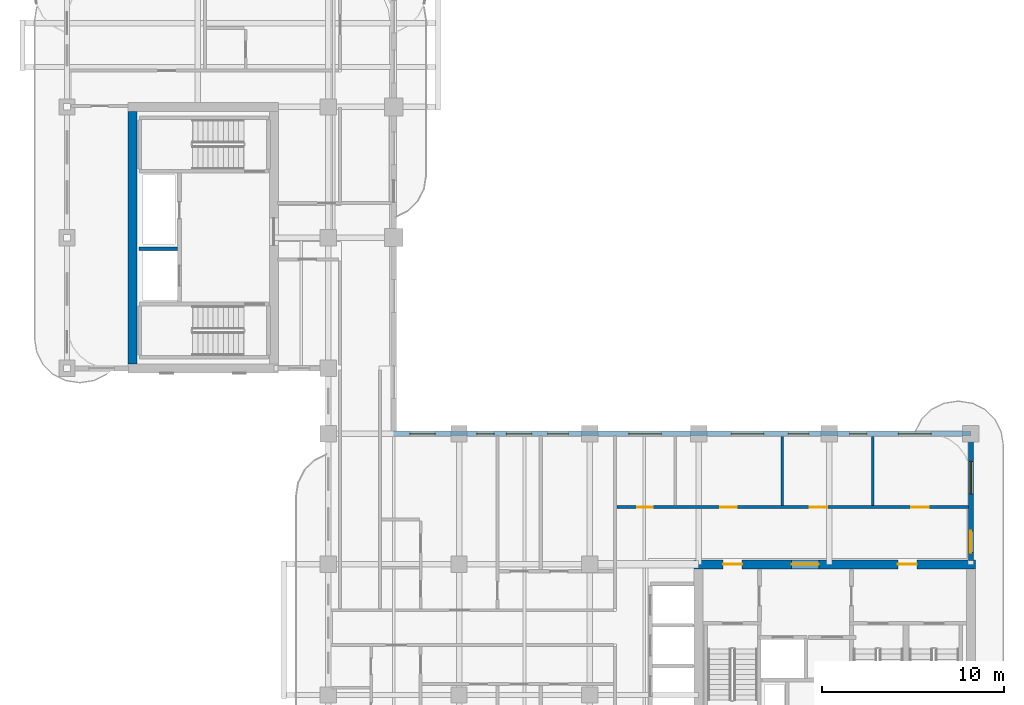
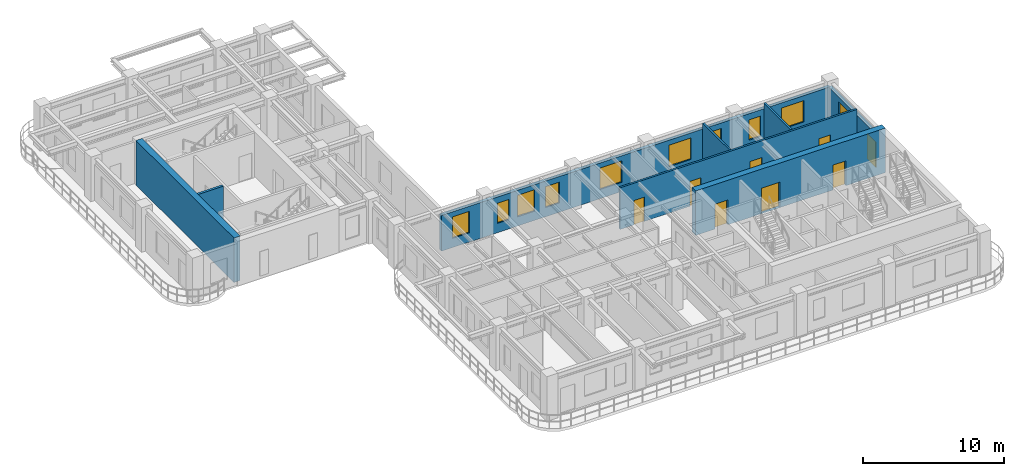
# One storey, part 7 of 14: 10 windows, 8 doors, 8 walls, 18 openings.
"""IFC4 building model written with IfcOpenShell, lengths in metres."""

from ifc_helpers import new_model, si_unit, derived_unit, direction, frame, frame_2d, origin, place, context, subcontext, project, spatial, rectangle, extrude, source, transform, mapped, material, layer, layer_set, type_object, type_shapes, element, fill, save


model = new_model("IFC4")

# Units and contexts
model_context = context("Model", 3, precision=1e-05, world=origin(), true_north=direction((0.0, 1.0)))
body_context = subcontext(model_context, "Body", "Model", "MODEL_VIEW")
ifc_project = project(units=[si_unit("LENGTHUNIT", "METRE"), si_unit("AREAUNIT", "SQUARE_METRE"), si_unit("VOLUMEUNIT", "CUBIC_METRE"), si_unit("PLANEANGLEUNIT", "RADIAN"), si_unit("MASSUNIT", "GRAM", prefix="KILO"), si_unit("THERMODYNAMICTEMPERATUREUNIT", "KELVIN"), si_unit("POWERUNIT", "WATT"), derived_unit("THERMALTRANSMITTANCEUNIT", [(si_unit("POWERUNIT", "WATT"), 1), (si_unit("AREAUNIT", "SQUARE_METRE"), -1), (si_unit("THERMODYNAMICTEMPERATUREUNIT", "KELVIN"), -1)])], contexts=[model_context])

# Site, building, storey
site_placement = place(None, origin())
site = spatial("IfcSite", under=ifc_project, at=site_placement, CompositionType="ELEMENT")
building_placement = place(site_placement, origin())
building = spatial("IfcBuilding", under=site, at=building_placement, Name="Zahravan Archway Hotel and Residences", CompositionType="ELEMENT")
storey_placement = place(building_placement, frame((0.0, 0.0, 205.75)))
storey = spatial("IfcBuildingStorey", under=building, at=storey_placement, Name="L51", CompositionType="ELEMENT", Elevation=205.75)

# Wall, openings, doors
ifc_material_1 = material(Name="Concrete C60/75", Category="concrete")
ifc_layer_1 = layer(ifc_material_1, 0.5, Name="Concrete C60/75", Category="concrete")
ifc_layer_set_1 = layer_set([ifc_layer_1], Name="Concrete C60/75")
wall_type_1 = type_object("IfcWallType", Name="CW-CORE-500", PredefinedType="SHEAR", material=ifc_layer_set_1)
wall_1_placement = place(storey_placement, frame((34.550048828125, 14.39990234375, 0.0), z_axis=(0.0, 0.0, 1.0), x_axis=(1.0, 0.0, 0.0)))
wall_1 = element("IfcWall", 1, at=wall_1_placement, inside=storey, type_object=wall_type_1, Name="L51 Core A Shear N Wall 500 mm", PredefinedType="SHEAR", context=body_context, shape_type="SweptSolid", body=[
    extrude(rectangle(XDim=15.5, YDim=0.5, at=frame_2d((7.75, 0.0))), origin(), (0.0, 0.0, 1.0), 3.85009765625),
])
opening_1_placement = place(wall_1_placement, frame((5.3798828125, 0.0, 0.0)))
opening_1 = element("IfcOpeningElement", 2, at=opening_1_placement, cuts=wall_1, Name="Opening FD-L1", PredefinedType="OPENING", context=body_context, shape_type="SweptSolid", body=[
    extrude(rectangle(XDim=1.5, YDim=2.199951171875, at=frame_2d((0.75, 1.10009765625))), frame((0.0, 0.260009765625, 0.0), z_axis=(0.0, -1.0, 0.0), x_axis=(1.0, 0.0, 0.0)), (0.0, 0.0, 1.0), 0.52001953125),
])
opening_2_placement = place(wall_1_placement, frame((1.594970703125, 0.0, 0.0)))
opening_2 = element("IfcOpeningElement", 3, at=opening_2_placement, cuts=wall_1, Name="Opening FD-L2", PredefinedType="OPENING", context=body_context, shape_type="SweptSolid", body=[
    extrude(rectangle(XDim=1.050048828125, YDim=2.14990234375, at=frame_2d((0.52490234375, 1.074951171875))), frame((0.0, 0.260009765625, 0.0), z_axis=(0.0, -1.0, 0.0), x_axis=(1.0, 0.0, 0.0)), (0.0, 0.0, 1.0), 0.52001953125),
])
opening_3_placement = place(wall_1_placement, frame((11.22509765625, 0.0, 0.0)))
opening_3 = element("IfcOpeningElement", 4, at=opening_3_placement, cuts=wall_1, Name="Opening FD-L2", PredefinedType="OPENING", context=body_context, shape_type="SweptSolid", body=[
    extrude(rectangle(XDim=1.050048828125, YDim=2.14990234375, at=frame_2d((0.52490234375, 1.074951171875))), frame((0.0, 0.260009765625, 0.0), z_axis=(0.0, -1.0, 0.0), x_axis=(1.0, 0.0, 0.0)), (0.0, 0.0, 1.0), 0.52001953125),
])
ifc_material_2 = material(Name="Fire-Rated Painted Steel", Category="steel")
door_type_1 = type_object("IfcDoorType", Name="FD-LOBBY-1100", OperationType="NOTDEFINED", PredefinedType="DOOR", material=ifc_material_2)
shared_shape_1 = source(origin(), body_context, "Body", "SweptSolid", [
    extrude(rectangle(XDim=1.050048828125, YDim=2.14990234375, at=frame_2d((0.52490234375, 1.074951171875))), frame((0.0, 0.02490234375, 0.0), z_axis=(0.0, -1.0, 0.0), x_axis=(1.0, 0.0, 0.0)), (0.0, 0.0, 1.0), 0.050048828125),
])
type_shapes(door_type_1, [shared_shape_1])
door_1_placement = place(opening_2_placement, origin())
door_1 = element("IfcDoor", 5, at=door_1_placement, inside=storey, type_object=door_type_1, Name="L51 Core A West Stair Lobby Door", OperationType="SINGLE_SWING_RIGHT", OverallHeight=2.14990234375, OverallWidth=1.050048828125, PredefinedType="DOOR", context=body_context, shape_type="MappedRepresentation", body=[
    mapped(shared_shape_1, transform((0.0, 0.0, 0.0), scale=1.0)),
])
fill(opening_2, door_1)
door_2_placement = place(opening_3_placement, origin())
door_2 = element("IfcDoor", 6, at=door_2_placement, inside=storey, type_object=door_type_1, Name="L51 Core A East Stair Lobby Door", OperationType="SINGLE_SWING_LEFT", OverallHeight=2.14990234375, OverallWidth=1.050048828125, PredefinedType="DOOR", context=body_context, shape_type="MappedRepresentation", body=[
    mapped(shared_shape_1, transform((0.0, 0.0, 0.0), scale=1.0)),
])
fill(opening_3, door_2)
door_type_2 = type_object("IfcDoorType", Name="FD-LOBBY-1500", OperationType="DOUBLE_DOOR_SINGLE_SWING", PredefinedType="DOOR", material=ifc_material_2)
shared_shape_2 = source(origin(), body_context, "Body", "SweptSolid", [
    extrude(rectangle(XDim=1.5, YDim=2.199951171875, at=frame_2d((0.75, 1.10009765625))), frame((0.0, 0.02490234375, 0.0), z_axis=(0.0, -1.0, 0.0), x_axis=(1.0, 0.0, 0.0)), (0.0, 0.0, 1.0), 0.050048828125),
])
type_shapes(door_type_2, [shared_shape_2])
door_3_placement = place(opening_1_placement, origin())
door_3 = element("IfcDoor", 7, at=door_3_placement, inside=storey, type_object=door_type_2, Name="L51 Core A FSAE Lobby Main Door", OperationType="DOUBLE_DOOR_SINGLE_SWING", OverallHeight=2.199951171875, OverallWidth=1.5, PredefinedType="DOOR", context=body_context, shape_type="MappedRepresentation", body=[
    mapped(shared_shape_2, transform((0.0, 0.0, 0.0), scale=1.0)),
])
fill(opening_1, door_3)

# Wall
wall_2_placement = place(storey_placement, frame((3.60009765625, 25.449951171875, 0.0), z_axis=(0.0, 0.0, 1.0), x_axis=(0.0, 1.0, 0.0)))
element("IfcWall", 8, at=wall_2_placement, inside=storey, type_object=wall_type_1, Name="L51 Core B Shear W Wall 500 mm", PredefinedType="SHEAR", context=body_context, shape_type="SweptSolid", body=[
    extrude(rectangle(XDim=13.900146484375, YDim=0.5, at=frame_2d((6.9501953125, 0.0))), origin(), (0.0, 0.0, 1.0), 3.85009765625),
])

# Wall, openings, door, window
ifc_material_3 = material(Name="Honed Red-Ochre Sandstone & Insulated Block", Category="masonry")
ifc_layer_2 = layer(ifc_material_3, 0.280029296875, Name="Honed Red-Ochre Sandstone & Insulated Block", Category="masonry")
ifc_layer_set_2 = layer_set([ifc_layer_2], Name="Honed Red-Ochre Sandstone & Insulated Block")
wall_type_2 = type_object("IfcWallType", Name="EW-LOG-280", PredefinedType="SOLIDWALL", material=ifc_layer_set_2)
wall_3_placement = place(storey_placement, frame((49.800048828125, 14.6201171875, 0.0), z_axis=(0.0, 0.0, 1.0), x_axis=(0.0, 1.0, 0.0)))
wall_3 = element("IfcWall", 9, at=wall_3_placement, inside=storey, type_object=wall_type_2, Name="L51 Exterior Sandstone Wall WA-EN", PredefinedType="SOLIDWALL", context=body_context, shape_type="SweptSolid", body=[
    extrude(rectangle(XDim=6.929931640625, YDim=0.280029296875, at=frame_2d((3.46484375, 0.0))), origin(), (0.0, 0.0, 1.0), 3.0849609375),
])
opening_4_placement = place(wall_3_placement, frame((0.419921875, 0.0, 0.0)))
opening_4 = element("IfcOpeningElement", 10, at=opening_4_placement, cuts=wall_3, Name="Opening ED-BL1", PredefinedType="OPENING", context=body_context, shape_type="SweptSolid", body=[
    extrude(rectangle(XDim=1.199951171875, YDim=2.199951171875, at=frame_2d((0.60009765625, 1.10009765625))), frame((0.0, 0.14990234375, 0.0), z_axis=(0.0, -1.0, 0.0), x_axis=(1.0, 0.0, 0.0)), (0.0, 0.0, 1.0), 0.300048828125),
])
opening_5_placement = place(wall_3_placement, frame((3.658935546875, 0.0, 0.800048828125)))
opening_5 = element("IfcOpeningElement", 11, at=opening_5_placement, cuts=wall_3, Name="Opening W-02", PredefinedType="OPENING", context=body_context, shape_type="SweptSolid", body=[
    extrude(rectangle(XDim=1.800048828125, YDim=1.85009765625, at=frame_2d((0.89990234375, 0.925048828125))), frame((0.0, 0.14990234375, 0.0), z_axis=(0.0, -1.0, 0.0), x_axis=(1.0, 0.0, 0.0)), (0.0, 0.0, 1.0), 0.300048828125),
])
ifc_material_4 = material(Name="Bronze-Anodized Glazed Aluminium", Category="aluminium")
door_type_3 = type_object("IfcDoorType", Name="ED-BALC-1200", OperationType="SLIDING_TO_LEFT", PredefinedType="DOOR", material=ifc_material_4)
shared_shape_3 = source(origin(), body_context, "Body", "SweptSolid", [
    extrude(rectangle(XDim=1.199951171875, YDim=2.199951171875, at=frame_2d((0.60009765625, 1.10009765625))), frame((0.0, 0.02490234375, 0.0), z_axis=(0.0, -1.0, 0.0), x_axis=(1.0, 0.0, 0.0)), (0.0, 0.0, 1.0), 0.050048828125),
])
type_shapes(door_type_3, [shared_shape_3])
door_4_placement = place(opening_4_placement, origin())
door_4 = element("IfcDoor", 12, at=door_4_placement, inside=storey, type_object=door_type_3, Name="L51 Outdoor Access Sliding Door (SLB-BAL-L51-EA)", OperationType="SLIDING_TO_LEFT", OverallHeight=2.199951171875, OverallWidth=1.199951171875, PredefinedType="DOOR", context=body_context, shape_type="MappedRepresentation", body=[
    mapped(shared_shape_3, transform((0.0, 0.0, 0.0), scale=1.0)),
])
fill(opening_4, door_4)
ifc_material_5 = material(Name="Bronze-Anodized Thermal-Break Aluminium & Low-E Glass", Category="aluminium")
window_type_1 = type_object("IfcWindowType", Name="WIN-TWR-1800", PartitioningType="DOUBLE_PANEL_VERTICAL", PredefinedType="WINDOW", material=ifc_material_5)
shared_shape_4 = source(origin(), body_context, "Body", "SweptSolid", [
    extrude(rectangle(XDim=1.800048828125, YDim=1.85009765625, at=frame_2d((0.89990234375, 0.925048828125))), frame((0.0, 0.030029296875, 0.0), z_axis=(0.0, -1.0, 0.0), x_axis=(1.0, 0.0, 0.0)), (0.0, 0.0, 1.0), 0.06005859375),
])
type_shapes(window_type_1, [shared_shape_4])
window_1_placement = place(opening_5_placement, origin())
window_1 = element("IfcWindow", 13, at=window_1_placement, inside=storey, type_object=window_type_1, Name="L51 Loggia Window 11", OverallHeight=1.85009765625, OverallWidth=1.800048828125, PartitioningType="DOUBLE_PANEL_VERTICAL", PredefinedType="WINDOW", context=body_context, shape_type="MappedRepresentation", body=[
    mapped(shared_shape_4, transform((0.0, 0.0, 0.0), scale=1.0)),
])
fill(opening_5, window_1)

# Wall, openings, windows
wall_4_placement = place(storey_placement, frame((18.0, 21.60009765625, 0.0), z_axis=(0.0, 0.0, 1.0), x_axis=(1.0, 0.0, 0.0)))
wall_4 = element("IfcWall", 14, at=wall_4_placement, inside=storey, type_object=wall_type_2, Name="L51 Exterior Sandstone Wall WA-NE", PredefinedType="SOLIDWALL", context=body_context, shape_type="SweptSolid", body=[
    extrude(rectangle(XDim=31.800048828125, YDim=0.280029296875, at=frame_2d((15.89990234375, 0.0))), origin(), (0.0, 0.0, 1.0), 3.0849609375),
])
opening_6_placement = place(wall_4_placement, frame((0.885009765625, 0.0, 0.800048828125)))
opening_6 = element("IfcOpeningElement", 15, at=opening_6_placement, cuts=wall_4, Name="Opening W-03", PredefinedType="OPENING", context=body_context, shape_type="SweptSolid", body=[
    extrude(rectangle(XDim=1.39990234375, YDim=1.85009765625, at=frame_2d((0.699951171875, 0.925048828125))), frame((0.0, 0.14990234375, 0.0), z_axis=(0.0, -1.0, 0.0), x_axis=(1.0, 0.0, 0.0)), (0.0, 0.0, 1.0), 0.300048828125),
])
opening_7_placement = place(wall_4_placement, frame((4.5810546875, 0.0, 0.800048828125)))
opening_7 = element("IfcOpeningElement", 16, at=opening_7_placement, cuts=wall_4, Name="Opening W-04", PredefinedType="OPENING", context=body_context, shape_type="SweptSolid", body=[
    extrude(rectangle(XDim=0.949951171875, YDim=1.75, at=frame_2d((0.47509765625, 0.875))), frame((0.0, 0.14990234375, 0.0), z_axis=(0.0, -1.0, 0.0), x_axis=(1.0, 0.0, 0.0)), (0.0, 0.0, 1.0), 0.300048828125),
])
opening_8_placement = place(wall_4_placement, frame((6.2099609375, 0.0, 0.800048828125)))
opening_8 = element("IfcOpeningElement", 17, at=opening_8_placement, cuts=wall_4, Name="Opening W-03", PredefinedType="OPENING", context=body_context, shape_type="SweptSolid", body=[
    extrude(rectangle(XDim=1.39990234375, YDim=1.85009765625, at=frame_2d((0.699951171875, 0.925048828125))), frame((0.0, 0.14990234375, 0.0), z_axis=(0.0, -1.0, 0.0), x_axis=(1.0, 0.0, 0.0)), (0.0, 0.0, 1.0), 0.300048828125),
])
opening_9_placement = place(wall_4_placement, frame((8.47998046875, 0.0, 0.800048828125)))
opening_9 = element("IfcOpeningElement", 18, at=opening_9_placement, cuts=wall_4, Name="Opening W-05", PredefinedType="OPENING", context=body_context, shape_type="SweptSolid", body=[
    extrude(rectangle(XDim=1.14990234375, YDim=1.800048828125, at=frame_2d((0.574951171875, 0.89990234375))), frame((0.0, 0.14990234375, 0.0), z_axis=(0.0, -1.0, 0.0), x_axis=(1.0, 0.0, 0.0)), (0.0, 0.0, 1.0), 0.300048828125),
])
opening_10_placement = place(wall_4_placement, frame((12.949951171875, 0.0, 0.800048828125)))
opening_10 = element("IfcOpeningElement", 19, at=opening_10_placement, cuts=wall_4, Name="Opening W-02", PredefinedType="OPENING", context=body_context, shape_type="SweptSolid", body=[
    extrude(rectangle(XDim=1.800048828125, YDim=1.85009765625, at=frame_2d((0.89990234375, 0.925048828125))), frame((0.0, 0.14990234375, 0.0), z_axis=(0.0, -1.0, 0.0), x_axis=(1.0, 0.0, 0.0)), (0.0, 0.0, 1.0), 0.300048828125),
])
opening_11_placement = place(wall_4_placement, frame((18.595947265625, 0.0, 0.800048828125)))
opening_11 = element("IfcOpeningElement", 20, at=opening_11_placement, cuts=wall_4, Name="Opening W-02", PredefinedType="OPENING", context=body_context, shape_type="SweptSolid", body=[
    extrude(rectangle(XDim=1.800048828125, YDim=1.85009765625, at=frame_2d((0.89990234375, 0.925048828125))), frame((0.0, 0.14990234375, 0.0), z_axis=(0.0, -1.0, 0.0), x_axis=(1.0, 0.0, 0.0)), (0.0, 0.0, 1.0), 0.300048828125),
])
opening_12_placement = place(wall_4_placement, frame((21.72900390625, 0.0, 0.800048828125)))
opening_12 = element("IfcOpeningElement", 21, at=opening_12_placement, cuts=wall_4, Name="Opening W-05", PredefinedType="OPENING", context=body_context, shape_type="SweptSolid", body=[
    extrude(rectangle(XDim=1.14990234375, YDim=1.800048828125, at=frame_2d((0.574951171875, 0.89990234375))), frame((0.0, 0.14990234375, 0.0), z_axis=(0.0, -1.0, 0.0), x_axis=(1.0, 0.0, 0.0)), (0.0, 0.0, 1.0), 0.300048828125),
])
opening_13_placement = place(wall_4_placement, frame((25.12109375, 0.0, 0.800048828125)))
opening_13 = element("IfcOpeningElement", 22, at=opening_13_placement, cuts=wall_4, Name="Opening W-04", PredefinedType="OPENING", context=body_context, shape_type="SweptSolid", body=[
    extrude(rectangle(XDim=0.949951171875, YDim=1.75, at=frame_2d((0.47509765625, 0.875))), frame((0.0, 0.14990234375, 0.0), z_axis=(0.0, -1.0, 0.0), x_axis=(1.0, 0.0, 0.0)), (0.0, 0.0, 1.0), 0.300048828125),
])
opening_14_placement = place(wall_4_placement, frame((27.803955078125, 0.0, 0.800048828125)))
opening_14 = element("IfcOpeningElement", 23, at=opening_14_placement, cuts=wall_4, Name="Opening W-02", PredefinedType="OPENING", context=body_context, shape_type="SweptSolid", body=[
    extrude(rectangle(XDim=1.800048828125, YDim=1.85009765625, at=frame_2d((0.89990234375, 0.925048828125))), frame((0.0, 0.14990234375, 0.0), z_axis=(0.0, -1.0, 0.0), x_axis=(1.0, 0.0, 0.0)), (0.0, 0.0, 1.0), 0.300048828125),
])
window_type_2 = type_object("IfcWindowType", Name="WIN-TWR-1400", PartitioningType="SINGLE_PANEL", PredefinedType="WINDOW", material=ifc_material_5)
shared_shape_5 = source(origin(), body_context, "Body", "SweptSolid", [
    extrude(rectangle(XDim=1.39990234375, YDim=1.85009765625, at=frame_2d((0.699951171875, 0.925048828125))), frame((0.0, 0.030029296875, 0.0), z_axis=(0.0, -1.0, 0.0), x_axis=(1.0, 0.0, 0.0)), (0.0, 0.0, 1.0), 0.06005859375),
])
type_shapes(window_type_2, [shared_shape_5])
window_2_placement = place(opening_6_placement, origin())
window_2 = element("IfcWindow", 24, at=window_2_placement, inside=storey, type_object=window_type_2, Name="L51 Loggia Window 12", OverallHeight=1.85009765625, OverallWidth=1.39990234375, PartitioningType="SINGLE_PANEL", PredefinedType="WINDOW", context=body_context, shape_type="MappedRepresentation", body=[
    mapped(shared_shape_5, transform((0.0, 0.0, 0.0), scale=1.0)),
])
fill(opening_6, window_2)
window_3_placement = place(opening_8_placement, origin())
window_3 = element("IfcWindow", 25, at=window_3_placement, inside=storey, type_object=window_type_2, Name="L51 Loggia Window 14", OverallHeight=1.85009765625, OverallWidth=1.39990234375, PartitioningType="SINGLE_PANEL", PredefinedType="WINDOW", context=body_context, shape_type="MappedRepresentation", body=[
    mapped(shared_shape_5, transform((0.0, 0.0, 0.0), scale=1.0)),
])
fill(opening_8, window_3)
window_type_3 = type_object("IfcWindowType", Name="WIN-NAR-950", PartitioningType="SINGLE_PANEL", PredefinedType="WINDOW", material=ifc_material_5)
shared_shape_6 = source(origin(), body_context, "Body", "SweptSolid", [
    extrude(rectangle(XDim=0.949951171875, YDim=1.75, at=frame_2d((0.47509765625, 0.875))), frame((0.0, 0.030029296875, 0.0), z_axis=(0.0, -1.0, 0.0), x_axis=(1.0, 0.0, 0.0)), (0.0, 0.0, 1.0), 0.06005859375),
])
type_shapes(window_type_3, [shared_shape_6])
window_4_placement = place(opening_7_placement, origin())
window_4 = element("IfcWindow", 26, at=window_4_placement, inside=storey, type_object=window_type_3, Name="L51 Loggia Window 13", OverallHeight=1.75, OverallWidth=0.949951171875, PartitioningType="SINGLE_PANEL", PredefinedType="WINDOW", context=body_context, shape_type="MappedRepresentation", body=[
    mapped(shared_shape_6, transform((0.0, 0.0, 0.0), scale=1.0)),
])
fill(opening_7, window_4)
window_5_placement = place(opening_13_placement, origin())
window_5 = element("IfcWindow", 27, at=window_5_placement, inside=storey, type_object=window_type_3, Name="L51 Loggia Window 19", OverallHeight=1.75, OverallWidth=0.949951171875, PartitioningType="SINGLE_PANEL", PredefinedType="WINDOW", context=body_context, shape_type="MappedRepresentation", body=[
    mapped(shared_shape_6, transform((0.0, 0.0, 0.0), scale=1.0)),
])
fill(opening_13, window_5)
window_6_placement = place(opening_10_placement, origin())
window_6 = element("IfcWindow", 28, at=window_6_placement, inside=storey, type_object=window_type_1, Name="L51 Loggia Window 16", OverallHeight=1.85009765625, OverallWidth=1.800048828125, PartitioningType="DOUBLE_PANEL_VERTICAL", PredefinedType="WINDOW", context=body_context, shape_type="MappedRepresentation", body=[
    mapped(shared_shape_4, transform((0.0, 0.0, 0.0), scale=1.0)),
])
fill(opening_10, window_6)
window_7_placement = place(opening_11_placement, origin())
window_7 = element("IfcWindow", 29, at=window_7_placement, inside=storey, type_object=window_type_1, Name="L51 Loggia Window 17", OverallHeight=1.85009765625, OverallWidth=1.800048828125, PartitioningType="DOUBLE_PANEL_VERTICAL", PredefinedType="WINDOW", context=body_context, shape_type="MappedRepresentation", body=[
    mapped(shared_shape_4, transform((0.0, 0.0, 0.0), scale=1.0)),
])
fill(opening_11, window_7)
window_8_placement = place(opening_14_placement, origin())
window_8 = element("IfcWindow", 30, at=window_8_placement, inside=storey, type_object=window_type_1, Name="L51 Loggia Window 20", OverallHeight=1.85009765625, OverallWidth=1.800048828125, PartitioningType="DOUBLE_PANEL_VERTICAL", PredefinedType="WINDOW", context=body_context, shape_type="MappedRepresentation", body=[
    mapped(shared_shape_4, transform((0.0, 0.0, 0.0), scale=1.0)),
])
fill(opening_14, window_8)
window_type_4 = type_object("IfcWindowType", Name="WIN-TWR-1150", PartitioningType="SINGLE_PANEL", PredefinedType="WINDOW", material=ifc_material_5)
shared_shape_7 = source(origin(), body_context, "Body", "SweptSolid", [
    extrude(rectangle(XDim=1.14990234375, YDim=1.800048828125, at=frame_2d((0.574951171875, 0.89990234375))), frame((0.0, 0.030029296875, 0.0), z_axis=(0.0, -1.0, 0.0), x_axis=(1.0, 0.0, 0.0)), (0.0, 0.0, 1.0), 0.06005859375),
])
type_shapes(window_type_4, [shared_shape_7])
window_9_placement = place(opening_9_placement, origin())
window_9 = element("IfcWindow", 31, at=window_9_placement, inside=storey, type_object=window_type_4, Name="L51 Loggia Window 15", OverallHeight=1.800048828125, OverallWidth=1.14990234375, PartitioningType="SINGLE_PANEL", PredefinedType="WINDOW", context=body_context, shape_type="MappedRepresentation", body=[
    mapped(shared_shape_7, transform((0.0, 0.0, 0.0), scale=1.0)),
])
fill(opening_9, window_9)
window_10_placement = place(opening_12_placement, origin())
window_10 = element("IfcWindow", 32, at=window_10_placement, inside=storey, type_object=window_type_4, Name="L51 Loggia Window 18", OverallHeight=1.800048828125, OverallWidth=1.14990234375, PartitioningType="SINGLE_PANEL", PredefinedType="WINDOW", context=body_context, shape_type="MappedRepresentation", body=[
    mapped(shared_shape_7, transform((0.0, 0.0, 0.0), scale=1.0)),
])
fill(opening_12, window_10)

# Wall, openings, doors
ifc_material_6 = material(Name="Fire-Rated Gypsum & Concrete Block", Category="concrete")
ifc_layer_3 = layer(ifc_material_6, 0.159912109375, Name="Fire-Rated Gypsum & Concrete Block", Category="concrete")
ifc_layer_set_3 = layer_set([ifc_layer_3], Name="Fire-Rated Gypsum & Concrete Block")
wall_type_3 = type_object("IfcWallType", Name="PW-CORR-160", PredefinedType="PARTITIONING", material=ifc_layer_set_3)
wall_5_placement = place(storey_placement, frame((30.2900390625, 17.550048828125, 0.0), z_axis=(0.0, 0.0, 1.0), x_axis=(1.0, 0.0, 0.0)))
wall_5 = element("IfcWall", 33, at=wall_5_placement, inside=storey, type_object=wall_type_3, Name="L51 Partition WA-FN", PredefinedType="PARTITIONING", context=body_context, shape_type="SweptSolid", body=[
    extrude(rectangle(XDim=19.369873046875, YDim=0.159912109375, at=frame_2d((9.68505859375, 0.0))), origin(), (0.0, 0.0, 1.0), 3.60009765625),
])
opening_15_placement = place(wall_5_placement, frame((1.135009765625, 0.0, 0.0)))
opening_15 = element("IfcOpeningElement", 34, at=opening_15_placement, cuts=wall_5, Name="Opening D-B1", PredefinedType="OPENING", context=body_context, shape_type="SweptSolid", body=[
    extrude(rectangle(XDim=0.85009765625, YDim=2.10009765625, at=frame_2d((0.425048828125, 1.050048828125))), frame((0.0, 0.08984375, 0.0), z_axis=(0.0, -1.0, 0.0), x_axis=(1.0, 0.0, 0.0)), (0.0, 0.0, 1.0), 0.179931640625),
])
opening_16_placement = place(wall_5_placement, frame((5.7099609375, 0.0, 0.0)))
opening_16 = element("IfcOpeningElement", 35, at=opening_16_placement, cuts=wall_5, Name="Opening D-I2", PredefinedType="OPENING", context=body_context, shape_type="SweptSolid", body=[
    extrude(rectangle(XDim=0.89990234375, YDim=2.14990234375, at=frame_2d((0.449951171875, 1.074951171875))), frame((0.0, 0.08984375, 0.0), z_axis=(0.0, -1.0, 0.0), x_axis=(1.0, 0.0, 0.0)), (0.0, 0.0, 1.0), 0.179931640625),
])
opening_17_placement = place(wall_5_placement, frame((10.635009765625, 0.0, 0.0)))
opening_17 = element("IfcOpeningElement", 36, at=opening_17_placement, cuts=wall_5, Name="Opening D-I1", PredefinedType="OPENING", context=body_context, shape_type="SweptSolid", body=[
    extrude(rectangle(XDim=0.949951171875, YDim=2.14990234375, at=frame_2d((0.47509765625, 1.074951171875))), frame((0.0, 0.08984375, 0.0), z_axis=(0.0, -1.0, 0.0), x_axis=(1.0, 0.0, 0.0)), (0.0, 0.0, 1.0), 0.179931640625),
])
opening_18_placement = place(wall_5_placement, frame((16.235107421875, 0.0, 0.0)))
opening_18 = element("IfcOpeningElement", 37, at=opening_18_placement, cuts=wall_5, Name="Opening D-I1", PredefinedType="OPENING", context=body_context, shape_type="SweptSolid", body=[
    extrude(rectangle(XDim=0.949951171875, YDim=2.14990234375, at=frame_2d((0.47509765625, 1.074951171875))), frame((0.0, 0.08984375, 0.0), z_axis=(0.0, -1.0, 0.0), x_axis=(1.0, 0.0, 0.0)), (0.0, 0.0, 1.0), 0.179931640625),
])
ifc_material_7 = material(Name="Hardwood Veneer Timber", Category="wood")
door_type_4 = type_object("IfcDoorType", Name="ID-BATH-850", OperationType="NOTDEFINED", PredefinedType="DOOR", material=ifc_material_7)
shared_shape_8 = source(origin(), body_context, "Body", "SweptSolid", [
    extrude(rectangle(XDim=0.85009765625, YDim=2.10009765625, at=frame_2d((0.425048828125, 1.050048828125))), frame((0.0, 0.02490234375, 0.0), z_axis=(0.0, -1.0, 0.0), x_axis=(1.0, 0.0, 0.0)), (0.0, 0.0, 1.0), 0.050048828125),
])
type_shapes(door_type_4, [shared_shape_8])
door_5_placement = place(opening_15_placement, origin())
door_5 = element("IfcDoor", 38, at=door_5_placement, inside=storey, type_object=door_type_4, Name="L51 Accessible WC Door", OperationType="SINGLE_SWING_RIGHT", OverallHeight=2.10009765625, OverallWidth=0.85009765625, PredefinedType="DOOR", context=body_context, shape_type="MappedRepresentation", body=[
    mapped(shared_shape_8, transform((0.0, 0.0, 0.0), scale=1.0)),
])
fill(opening_15, door_5)
door_type_5 = type_object("IfcDoorType", Name="ID-INT-950", OperationType="NOTDEFINED", PredefinedType="DOOR", material=ifc_material_7)
shared_shape_9 = source(origin(), body_context, "Body", "SweptSolid", [
    extrude(rectangle(XDim=0.949951171875, YDim=2.14990234375, at=frame_2d((0.47509765625, 1.074951171875))), frame((0.0, 0.02490234375, 0.0), z_axis=(0.0, -1.0, 0.0), x_axis=(1.0, 0.0, 0.0)), (0.0, 0.0, 1.0), 0.050048828125),
])
type_shapes(door_type_5, [shared_shape_9])
door_6_placement = place(opening_17_placement, origin())
door_6 = element("IfcDoor", 39, at=door_6_placement, inside=storey, type_object=door_type_5, Name="L51 Boardroom Door", OperationType="SINGLE_SWING_RIGHT", OverallHeight=2.14990234375, OverallWidth=0.949951171875, PredefinedType="DOOR", context=body_context, shape_type="MappedRepresentation", body=[
    mapped(shared_shape_9, transform((0.0, 0.0, 0.0), scale=1.0)),
])
fill(opening_17, door_6)
door_7_placement = place(opening_18_placement, origin())
door_7 = element("IfcDoor", 40, at=door_7_placement, inside=storey, type_object=door_type_5, Name="L51 Therapy Clinic Door", OperationType="SINGLE_SWING_LEFT", OverallHeight=2.14990234375, OverallWidth=0.949951171875, PredefinedType="DOOR", context=body_context, shape_type="MappedRepresentation", body=[
    mapped(shared_shape_9, transform((0.0, 0.0, 0.0), scale=1.0)),
])
fill(opening_18, door_7)
door_type_6 = type_object("IfcDoorType", Name="ID-INT-900", OperationType="NOTDEFINED", PredefinedType="DOOR", material=ifc_material_7)
shared_shape_10 = source(origin(), body_context, "Body", "SweptSolid", [
    extrude(rectangle(XDim=0.89990234375, YDim=2.14990234375, at=frame_2d((0.449951171875, 1.074951171875))), frame((0.0, 0.02490234375, 0.0), z_axis=(0.0, -1.0, 0.0), x_axis=(1.0, 0.0, 0.0)), (0.0, 0.0, 1.0), 0.050048828125),
])
type_shapes(door_type_6, [shared_shape_10])
door_8_placement = place(opening_16_placement, origin())
door_8 = element("IfcDoor", 41, at=door_8_placement, inside=storey, type_object=door_type_6, Name="L51 Pantry Door", OperationType="SINGLE_SWING_LEFT", OverallHeight=2.14990234375, OverallWidth=0.89990234375, PredefinedType="DOOR", context=body_context, shape_type="MappedRepresentation", body=[
    mapped(shared_shape_10, transform((0.0, 0.0, 0.0), scale=1.0)),
])
fill(opening_16, door_8)

# Walls
ifc_layer_4 = layer(ifc_material_6, 0.199951171875, Name="Fire-Rated Gypsum & Concrete Block", Category="concrete")
ifc_layer_set_4 = layer_set([ifc_layer_4], Name="Fire-Rated Gypsum & Concrete Block")
wall_type_4 = type_object("IfcWallType", Name="PW-SHAFT-200", PredefinedType="PARTITIONING", material=ifc_layer_set_4)
wall_6_placement = place(storey_placement, frame((3.9599609375, 31.780029296875, 0.0), z_axis=(0.0, 0.0, 1.0), x_axis=(1.0, 0.0, 0.0)))
element("IfcWall", 42, at=wall_6_placement, inside=storey, type_object=wall_type_4, Name="L51 Partition CB-FL3N", PredefinedType="PARTITIONING", context=body_context, shape_type="SweptSolid", body=[
    extrude(rectangle(XDim=2.130126953125, YDim=0.199951171875, at=frame_2d((1.06494140625, 0.0))), origin(), (0.0, 0.0, 1.0), 3.60009765625),
])
ifc_material_8 = material(Name="Moisture-Resistant Blockwork", Category="masonry")
ifc_layer_5 = layer(ifc_material_8, 0.139892578125, Name="Moisture-Resistant Blockwork", Category="masonry")
ifc_layer_set_5 = layer_set([ifc_layer_5], Name="Moisture-Resistant Blockwork")
wall_type_5 = type_object("IfcWallType", Name="PW-WET-140", PredefinedType="PARTITIONING", material=ifc_layer_set_5)
for number, where, z_axis, x_axis, name in (
    (43, (39.39990234375, 17.639892578125, 0.0), (0.0, 0.0, 1.0), (0.0, 1.0, 0.0), "L51 Partition NE2-2"),
    (44, (44.39990234375, 17.639892578125, 0.0), (0.0, 0.0, 1.0), (0.0, 1.0, 0.0), "L51 Partition NE2-3"),
):
    element("IfcWall", number, at=place(storey_placement, frame(where, z_axis=z_axis, x_axis=x_axis)), inside=storey, type_object=wall_type_5, Name=name, PredefinedType="PARTITIONING", context=body_context, shape_type="SweptSolid", body=[
        extrude(rectangle(XDim=3.81201171875, YDim=0.139892578125, at=frame_2d((1.906005859375, 0.0))), origin(), (0.0, 0.0, 1.0), 3.60009765625),
    ])

save(model, "model.ifc")
